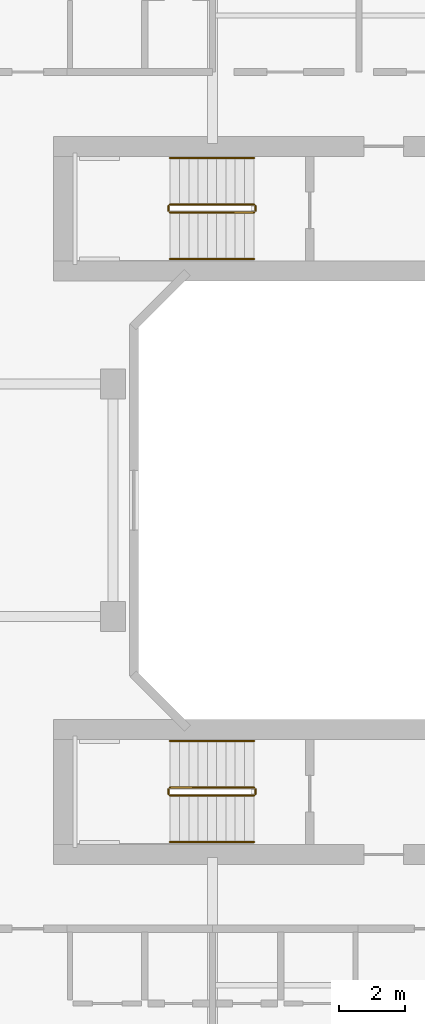
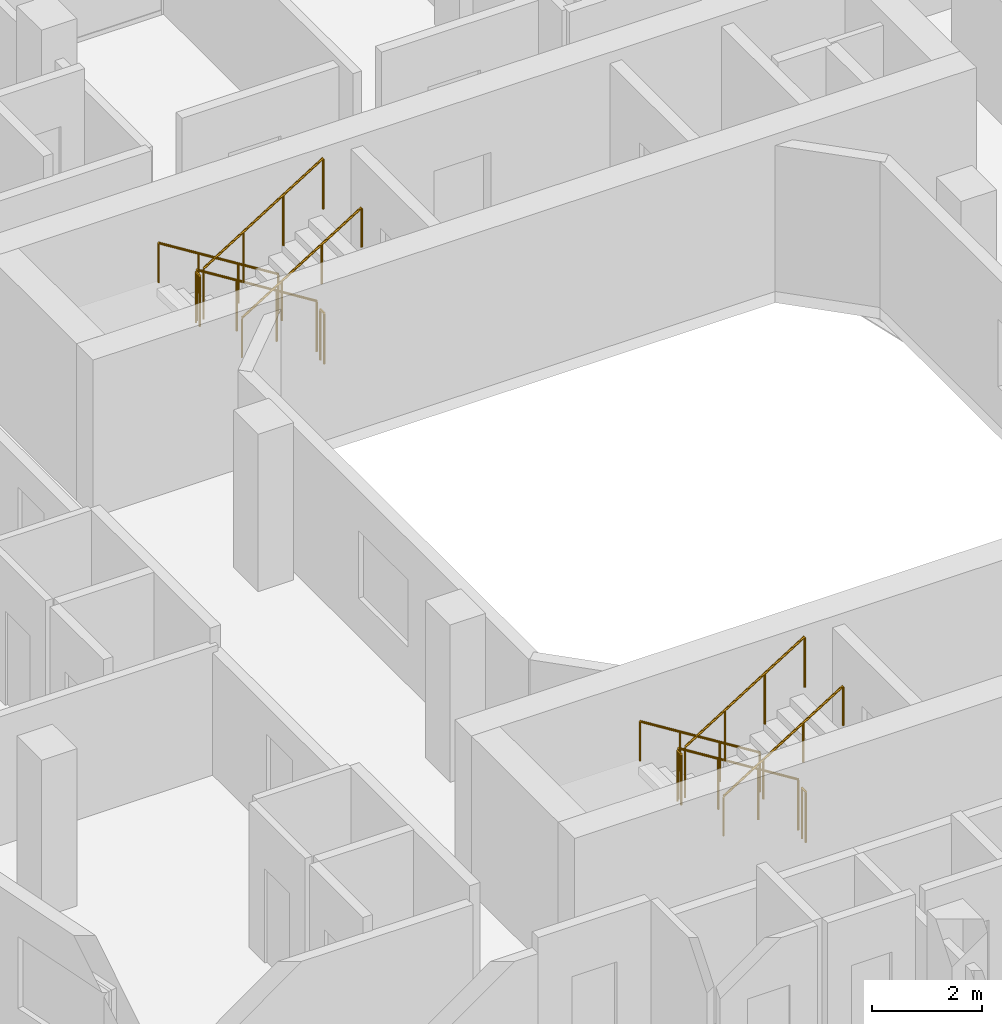
# One storey, part 27 of 27: 12 railings.
"""IFC4 building model written with IfcOpenShell, lengths in metres."""

from ifc_helpers import new_model, si_unit, derived_unit, direction, frame, origin, origin_2d, place, context, subcontext, project, spatial, circle, extrude, material, type_object, element, save


model = new_model("IFC4")

# Units and contexts
model_context = context("Model", 3, precision=1e-05, world=origin(), true_north=direction((0.0, 1.0)))
body_context = subcontext(model_context, "Body", "Model", "MODEL_VIEW")
ifc_project = project(units=[si_unit("LENGTHUNIT", "METRE"), si_unit("AREAUNIT", "SQUARE_METRE"), si_unit("VOLUMEUNIT", "CUBIC_METRE"), si_unit("PLANEANGLEUNIT", "RADIAN"), si_unit("MASSUNIT", "GRAM", prefix="KILO"), derived_unit("THERMALTRANSMITTANCEUNIT", [(si_unit("POWERUNIT", "WATT"), 1), (si_unit("LENGTHUNIT", "METRE"), -2), (si_unit("THERMODYNAMICTEMPERATUREUNIT", "KELVIN"), -1)])], contexts=[model_context])

# Site, building, storey
site_placement = place(None, origin())
site = spatial("IfcSite", under=ifc_project, at=site_placement, CompositionType="ELEMENT")
building_placement = place(site_placement, origin())
building = spatial("IfcBuilding", under=site, at=building_placement, Name="Kivonza Crest Hotel", CompositionType="ELEMENT")
storey_placement = place(building_placement, frame((0.0, 0.0, 41.5)))
storey = spatial("IfcBuildingStorey", under=building, at=storey_placement, Name="L10", CompositionType="ELEMENT", Elevation=41.5)

# Railings
ifc_material_1 = material(Name="Brushed stainless steel handrail", Category="steel")
railing_type_1 = type_object("IfcRailingType", Name="RL-HAND-900", PredefinedType="HANDRAIL", material=ifc_material_1)
railing_1_placement = place(storey_placement, frame((73.840087890625, 35.31005859375, 0.175048828125)))
element("IfcRailing", 1, at=railing_1_placement, inside=storey, type_object=railing_type_1, Name="L10 ST-T2-N stair handrail 1", PredefinedType="HANDRAIL", context=body_context, shape_type="SweptSolid", body=[
    extrude(circle(Radius=0.02392578125, at=origin_2d()), frame((0.0, 0.0, 0.8759765625), z_axis=(-0.848007534815, 0.0, 0.529984170421), x_axis=(0.0, -1.0, 0.0)), (0.0, 0.0, 1.0), 2.9716796875),
    extrude(circle(Radius=0.02099609375, at=origin_2d()), origin(), (0.0, 0.0, 1.0), 0.851806640625),
    extrude(circle(Radius=0.02099609375, at=origin_2d()), frame((-0.840087890625, 0.0, 0.52490234375)), (0.0, 0.0, 1.0), 0.851806640625),
    extrude(circle(Radius=0.02099609375, at=origin_2d()), frame((-1.679931640625, 0.0, 1.050048828125)), (0.0, 0.0, 1.0), 0.851806640625),
    extrude(circle(Radius=0.02099609375, at=origin_2d()), frame((-2.52001953125, 0.0, 1.574951171875)), (0.0, 0.0, 1.0), 0.851806640625),
])
railing_2_placement = place(storey_placement, frame((71.320068359375, 32.27001953125, 1.925048828125)))
element("IfcRailing", 2, at=railing_2_placement, inside=storey, type_object=railing_type_1, Name="L10 ST-T2-N stair handrail 2", PredefinedType="HANDRAIL", context=body_context, shape_type="SweptSolid", body=[
    extrude(circle(Radius=0.02392578125, at=origin_2d()), frame((0.0, 0.0, 0.8759765625), z_axis=(0.848007534815, 0.0, 0.529984170421), x_axis=(0.0, 1.0, 0.0)), (0.0, 0.0, 1.0), 2.9716796875),
    extrude(circle(Radius=0.02099609375, at=origin_2d()), origin(), (0.0, 0.0, 1.0), 0.851806640625),
    extrude(circle(Radius=0.02099609375, at=origin_2d()), frame((0.840087890625, 0.0, 0.52490234375)), (0.0, 0.0, 1.0), 0.851806640625),
    extrude(circle(Radius=0.02099609375, at=origin_2d()), frame((1.679931640625, 0.0, 1.050048828125)), (0.0, 0.0, 1.0), 0.851806640625),
    extrude(circle(Radius=0.02099609375, at=origin_2d()), frame((2.52001953125, 0.0, 1.574951171875)), (0.0, 0.0, 1.0), 0.851806640625),
])
railing_3_placement = place(storey_placement, frame((73.840087890625, 17.75, 0.175048828125)))
element("IfcRailing", 3, at=railing_3_placement, inside=storey, type_object=railing_type_1, Name="L10 ST-T2-S stair handrail 1", PredefinedType="HANDRAIL", context=body_context, shape_type="SweptSolid", body=[
    extrude(circle(Radius=0.02392578125, at=origin_2d()), frame((0.0, 0.0, 0.8759765625), z_axis=(-0.848007534815, 0.0, 0.529984170421), x_axis=(0.0, -1.0, 0.0)), (0.0, 0.0, 1.0), 2.9716796875),
    extrude(circle(Radius=0.02099609375, at=origin_2d()), origin(), (0.0, 0.0, 1.0), 0.851806640625),
    extrude(circle(Radius=0.02099609375, at=origin_2d()), frame((-0.840087890625, 0.0, 0.52490234375)), (0.0, 0.0, 1.0), 0.851806640625),
    extrude(circle(Radius=0.02099609375, at=origin_2d()), frame((-1.679931640625, 0.0, 1.050048828125)), (0.0, 0.0, 1.0), 0.851806640625),
    extrude(circle(Radius=0.02099609375, at=origin_2d()), frame((-2.52001953125, 0.0, 1.574951171875)), (0.0, 0.0, 1.0), 0.851806640625),
])
railing_4_placement = place(storey_placement, frame((71.320068359375, 14.7099609375, 1.925048828125)))
element("IfcRailing", 4, at=railing_4_placement, inside=storey, type_object=railing_type_1, Name="L10 ST-T2-S stair handrail 2", PredefinedType="HANDRAIL", context=body_context, shape_type="SweptSolid", body=[
    extrude(circle(Radius=0.02392578125, at=origin_2d()), frame((0.0, 0.0, 0.8759765625), z_axis=(0.848007534815, 0.0, 0.529984170421), x_axis=(0.0, 1.0, 0.0)), (0.0, 0.0, 1.0), 2.9716796875),
    extrude(circle(Radius=0.02099609375, at=origin_2d()), origin(), (0.0, 0.0, 1.0), 0.851806640625),
    extrude(circle(Radius=0.02099609375, at=origin_2d()), frame((0.840087890625, 0.0, 0.52490234375)), (0.0, 0.0, 1.0), 0.851806640625),
    extrude(circle(Radius=0.02099609375, at=origin_2d()), frame((1.679931640625, 0.0, 1.050048828125)), (0.0, 0.0, 1.0), 0.851806640625),
    extrude(circle(Radius=0.02099609375, at=origin_2d()), frame((2.52001953125, 0.0, 1.574951171875)), (0.0, 0.0, 1.0), 0.851806640625),
])
ifc_material_2 = material(Name="Painted steel balustrade", Category="steel")
railing_type_2 = type_object("IfcRailingType", Name="RL-STAIR-1150", PredefinedType="BALUSTRADE", material=ifc_material_2)
railing_5_placement = place(storey_placement, frame((73.840087890625, 33.909912109375, 0.175048828125)))
element("IfcRailing", 5, at=railing_5_placement, inside=storey, type_object=railing_type_2, Name="L10 ST-T2-N stair guard 1", PredefinedType="BALUSTRADE", context=body_context, shape_type="SweptSolid", body=[
    extrude(circle(Radius=0.02392578125, at=origin_2d()), frame((0.0, 0.0, 1.1259765625), z_axis=(-0.848007534815, 0.0, 0.529984170421), x_axis=(0.0, -1.0, 0.0)), (0.0, 0.0, 1.0), 2.9716796875),
    extrude(circle(Radius=0.02099609375, at=origin_2d()), origin(), (0.0, 0.0, 1.0), 1.101806640625),
    extrude(circle(Radius=0.02099609375, at=origin_2d()), frame((-0.840087890625, 0.0, 0.52490234375)), (0.0, 0.0, 1.0), 1.101806640625),
    extrude(circle(Radius=0.02099609375, at=origin_2d()), frame((-1.679931640625, 0.0, 1.050048828125)), (0.0, 0.0, 1.0), 1.101806640625),
    extrude(circle(Radius=0.02099609375, at=origin_2d()), frame((-2.52001953125, 0.0, 1.574951171875)), (0.0, 0.0, 1.0), 1.101806640625),
])
railing_6_placement = place(storey_placement, frame((71.27001953125, 33.860107421875, 1.75)))
element("IfcRailing", 6, at=railing_6_placement, inside=storey, type_object=railing_type_2, Name="L10 ST-T2-N stair guard 2", PredefinedType="BALUSTRADE", context=body_context, shape_type="SweptSolid", body=[
    extrude(circle(Radius=0.02392578125, at=origin_2d()), frame((0.0, 0.0, 1.1259765625), z_axis=(0.0, -1.0, 0.0), x_axis=(1.0, 0.0, 0.0)), (0.0, 0.0, 1.0), 0.14013671875),
    extrude(circle(Radius=0.02099609375, at=origin_2d()), origin(), (0.0, 0.0, 1.0), 1.101806640625),
    extrude(circle(Radius=0.02099609375, at=origin_2d()), frame((0.0, -0.14013671875, 0.0)), (0.0, 0.0, 1.0), 1.101806640625),
])
railing_7_placement = place(storey_placement, frame((71.320068359375, 33.669921875, 1.925048828125)))
element("IfcRailing", 7, at=railing_7_placement, inside=storey, type_object=railing_type_2, Name="L10 ST-T2-N stair guard 3", PredefinedType="BALUSTRADE", context=body_context, shape_type="SweptSolid", body=[
    extrude(circle(Radius=0.02392578125, at=origin_2d()), frame((0.0, 0.0, 1.1259765625), z_axis=(0.848007534815, 0.0, 0.529984170421), x_axis=(0.0, 1.0, 0.0)), (0.0, 0.0, 1.0), 2.9716796875),
    extrude(circle(Radius=0.02099609375, at=origin_2d()), origin(), (0.0, 0.0, 1.0), 1.101806640625),
    extrude(circle(Radius=0.02099609375, at=origin_2d()), frame((0.840087890625, 0.0, 0.52490234375)), (0.0, 0.0, 1.0), 1.101806640625),
    extrude(circle(Radius=0.02099609375, at=origin_2d()), frame((1.679931640625, 0.0, 1.050048828125)), (0.0, 0.0, 1.0), 1.101806640625),
    extrude(circle(Radius=0.02099609375, at=origin_2d()), frame((2.52001953125, 0.0, 1.574951171875)), (0.0, 0.0, 1.0), 1.101806640625),
])
railing_8_placement = place(storey_placement, frame((73.889892578125, 33.860107421875, 0.0)))
element("IfcRailing", 8, at=railing_8_placement, inside=storey, type_object=railing_type_2, Name="L10 ST-T2-N stair guard 4", PredefinedType="BALUSTRADE", context=body_context, shape_type="SweptSolid", body=[
    extrude(circle(Radius=0.02392578125, at=origin_2d()), frame((0.0, 0.0, 1.1259765625), z_axis=(0.0, -1.0, 0.0), x_axis=(1.0, 0.0, 0.0)), (0.0, 0.0, 1.0), 0.14013671875),
    extrude(circle(Radius=0.02099609375, at=origin_2d()), origin(), (0.0, 0.0, 1.0), 1.101806640625),
    extrude(circle(Radius=0.02099609375, at=origin_2d()), frame((0.0, -0.14013671875, 0.0)), (0.0, 0.0, 1.0), 1.101806640625),
])
railing_9_placement = place(storey_placement, frame((73.840087890625, 16.35009765625, 0.175048828125)))
element("IfcRailing", 9, at=railing_9_placement, inside=storey, type_object=railing_type_2, Name="L10 ST-T2-S stair guard 1", PredefinedType="BALUSTRADE", context=body_context, shape_type="SweptSolid", body=[
    extrude(circle(Radius=0.02392578125, at=origin_2d()), frame((0.0, 0.0, 1.1259765625), z_axis=(-0.848007534815, 0.0, 0.529984170421), x_axis=(0.0, -1.0, 0.0)), (0.0, 0.0, 1.0), 2.9716796875),
    extrude(circle(Radius=0.02099609375, at=origin_2d()), origin(), (0.0, 0.0, 1.0), 1.101806640625),
    extrude(circle(Radius=0.02099609375, at=origin_2d()), frame((-0.840087890625, 0.0, 0.52490234375)), (0.0, 0.0, 1.0), 1.101806640625),
    extrude(circle(Radius=0.02099609375, at=origin_2d()), frame((-1.679931640625, 0.0, 1.050048828125)), (0.0, 0.0, 1.0), 1.101806640625),
    extrude(circle(Radius=0.02099609375, at=origin_2d()), frame((-2.52001953125, 0.0, 1.574951171875)), (0.0, 0.0, 1.0), 1.101806640625),
])
railing_10_placement = place(storey_placement, frame((71.27001953125, 16.300048828125, 1.75)))
element("IfcRailing", 10, at=railing_10_placement, inside=storey, type_object=railing_type_2, Name="L10 ST-T2-S stair guard 2", PredefinedType="BALUSTRADE", context=body_context, shape_type="SweptSolid", body=[
    extrude(circle(Radius=0.02392578125, at=origin_2d()), frame((0.0, 0.0, 1.1259765625), z_axis=(0.0, -1.0, 0.0), x_axis=(1.0, 0.0, 0.0)), (0.0, 0.0, 1.0), 0.14013671875),
    extrude(circle(Radius=0.02099609375, at=origin_2d()), origin(), (0.0, 0.0, 1.0), 1.101806640625),
    extrude(circle(Radius=0.02099609375, at=origin_2d()), frame((0.0, -0.14013671875, 0.0)), (0.0, 0.0, 1.0), 1.101806640625),
])
railing_11_placement = place(storey_placement, frame((71.320068359375, 16.110107421875, 1.925048828125)))
element("IfcRailing", 11, at=railing_11_placement, inside=storey, type_object=railing_type_2, Name="L10 ST-T2-S stair guard 3", PredefinedType="BALUSTRADE", context=body_context, shape_type="SweptSolid", body=[
    extrude(circle(Radius=0.02392578125, at=origin_2d()), frame((0.0, 0.0, 1.1259765625), z_axis=(0.848007534815, 0.0, 0.529984170421), x_axis=(0.0, 1.0, 0.0)), (0.0, 0.0, 1.0), 2.9716796875),
    extrude(circle(Radius=0.02099609375, at=origin_2d()), origin(), (0.0, 0.0, 1.0), 1.101806640625),
    extrude(circle(Radius=0.02099609375, at=origin_2d()), frame((0.840087890625, 0.0, 0.52490234375)), (0.0, 0.0, 1.0), 1.101806640625),
    extrude(circle(Radius=0.02099609375, at=origin_2d()), frame((1.679931640625, 0.0, 1.050048828125)), (0.0, 0.0, 1.0), 1.101806640625),
    extrude(circle(Radius=0.02099609375, at=origin_2d()), frame((2.52001953125, 0.0, 1.574951171875)), (0.0, 0.0, 1.0), 1.101806640625),
])
railing_12_placement = place(storey_placement, frame((73.889892578125, 16.300048828125, 0.0)))
element("IfcRailing", 12, at=railing_12_placement, inside=storey, type_object=railing_type_2, Name="L10 ST-T2-S stair guard 4", PredefinedType="BALUSTRADE", context=body_context, shape_type="SweptSolid", body=[
    extrude(circle(Radius=0.02392578125, at=origin_2d()), frame((0.0, 0.0, 1.1259765625), z_axis=(0.0, -1.0, 0.0), x_axis=(1.0, 0.0, 0.0)), (0.0, 0.0, 1.0), 0.14013671875),
    extrude(circle(Radius=0.02099609375, at=origin_2d()), origin(), (0.0, 0.0, 1.0), 1.101806640625),
    extrude(circle(Radius=0.02099609375, at=origin_2d()), frame((0.0, -0.14013671875, 0.0)), (0.0, 0.0, 1.0), 1.101806640625),
])

save(model, "model.ifc")
